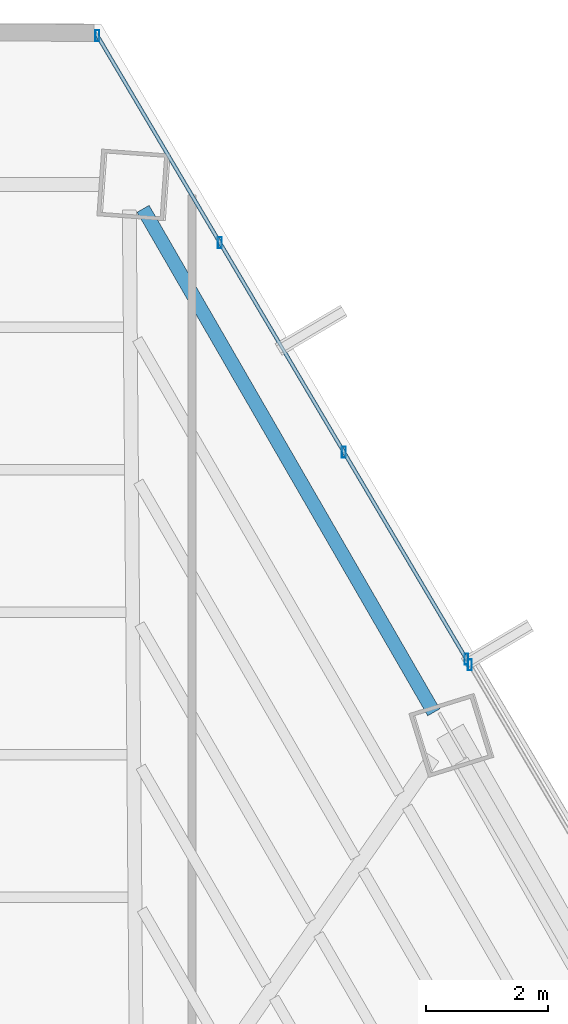
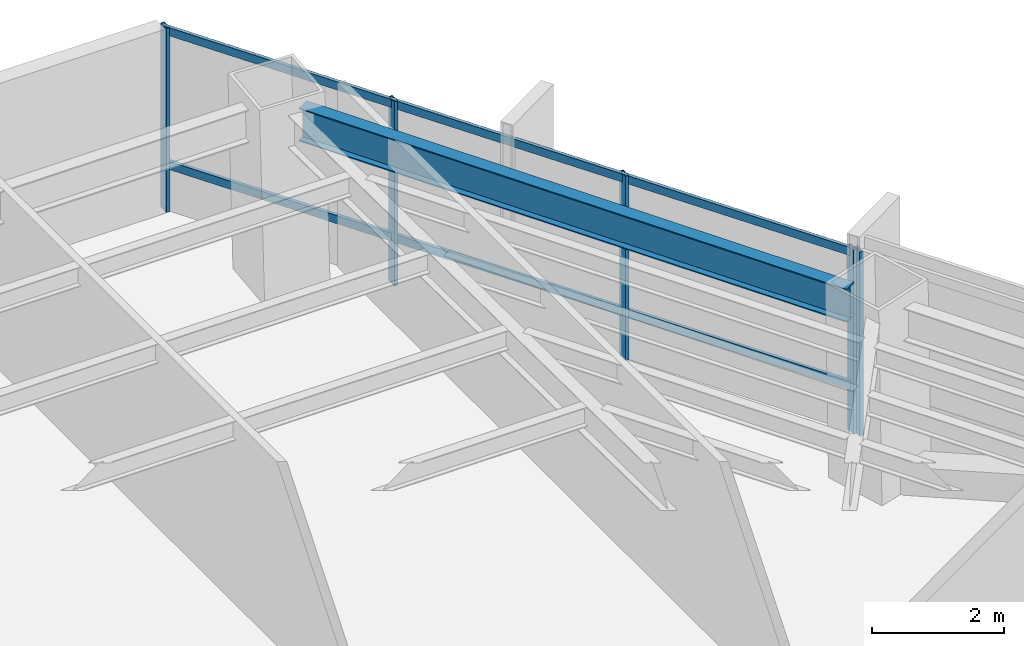
# One storey, part 28 of 37: 7 members, 1 beam, 2 elements without a shape of their own.
"""IFC4 building model written with IfcOpenShell, lengths in metres."""

from ifc_helpers import new_model, si_unit, direction, frame, origin, origin_2d, place, context, subcontext, project, spatial, hollow_rectangle, i_section, extrude, source, transform, mapped, material, material_profile, profile_set, type_object, type_shapes, element, aggregate, save


model = new_model("IFC4")

# Units and contexts
model_context = context("Model", 3, precision=1e-05, world=origin(), true_north=direction((0.0, 1.0)))
body_context = subcontext(model_context, "Body", "Model", "MODEL_VIEW")
ifc_project = project(units=[si_unit("LENGTHUNIT", "METRE"), si_unit("AREAUNIT", "SQUARE_METRE"), si_unit("VOLUMEUNIT", "CUBIC_METRE"), si_unit("PLANEANGLEUNIT", "RADIAN"), si_unit("MASSUNIT", "GRAM", prefix="KILO")], contexts=[model_context])

# Site, building, storey
site_placement = place(None, origin())
site = spatial("IfcSite", under=ifc_project, at=site_placement, CompositionType="ELEMENT")
building_placement = place(site_placement, origin())
building = spatial("IfcBuilding", under=site, at=building_placement, Name="Caelisora Broadcast Tower", CompositionType="ELEMENT")
storey_placement = place(building_placement, frame((0.0, 0.0, 105.39990234375)))
storey = spatial("IfcBuildingStorey", under=building, at=storey_placement, Name="L27", CompositionType="ELEMENT", Elevation=105.39990234375)

# Beam
ifc_material_1 = material(Name="Steel Grade 350 (AS/NZS 3679.1)", Category="steel")
ifc_material_profile_1 = material_profile(ifc_material_1, i_section(OverallWidth=0.22900390625, OverallDepth=0.611572265625, WebThickness=0.011962890625, FlangeThickness=0.01953125, at=origin_2d()), Name="Steel Grade 350 (AS/NZS 3679.1)")
ifc_profile_set_1 = profile_set([ifc_material_profile_1], Name="Steel Grade 350 (AS/NZS 3679.1)")
beam_type = type_object("IfcBeamType", Name="PG03", PredefinedType="BEAM", material=ifc_profile_set_1)
shared_shape_1 = source(origin(), body_context, "Body", "SweptSolid", [
    extrude(i_section(OverallWidth=0.22900390625, OverallDepth=0.611572265625, WebThickness=0.011962890625, FlangeThickness=0.01953125, at=origin_2d()), origin(), (0.0, 0.0, 1.0), 9.56591796875),
])
type_shapes(beam_type, [shared_shape_1])
beam_placement = place(storey_placement, frame((50.37890625, 37.732421875, 3.09423828125), z_axis=(-0.499995660965, 0.866027908913, 0.0), x_axis=(-0.866027908913, -0.499995660965, 0.0)))
element("IfcBeam", 1, at=beam_placement, inside=storey, type_object=beam_type, Name="L27 beam PG03", PredefinedType="BEAM", context=body_context, shape_type="MappedRepresentation", body=[
    mapped(shared_shape_1, transform((0.0, 0.0, 0.0), scale=1.0)),
])

# Curtain wall, members
ifc_material_2 = material(Name="Unitised Aluminium and Low-E Glass Curtain Wall", Category="glass")
curtain_wall_type_1 = type_object("IfcCurtainWallType", Name="CW-Z2", PredefinedType="NOTDEFINED", material=ifc_material_2)
curtain_wall_1_placement = place(storey_placement, origin())
curtain_wall_1 = element("IfcCurtainWall", 2, at=curtain_wall_1_placement, inside=storey, type_object=curtain_wall_type_1, Name="L27 curtain wall CW-Z2", PredefinedType="NOTDEFINED")
ifc_material_3 = material(Name="Aluminium 6063-T6 Anodised Terracotta Bronze", Category="aluminium")
ifc_material_profile_2 = material_profile(ifc_material_3, hollow_rectangle(XDim=0.06494140625, YDim=0.179931640625, WallThickness=0.00341796875, at=origin_2d()), Name="Aluminium 6063-T6 Anodised Terracotta Bronze")
ifc_profile_set_2 = profile_set([ifc_material_profile_2], Name="Aluminium 6063-T6 Anodised Terracotta Bronze")
member_type_1 = type_object("IfcMemberType", Name="CWM-02", PredefinedType="MULLION", material=ifc_profile_set_2)
shared_shape_2 = source(origin(), body_context, "Body", "SweptSolid", [
    extrude(hollow_rectangle(XDim=0.06494140625, YDim=0.179931640625, WallThickness=0.00341796875, at=origin_2d()), origin(), (0.0, 0.0, 1.0), 3.400146484375),
])
type_shapes(member_type_1, [shared_shape_2])
member_1_placement = place(storey_placement, frame((44.842529296875, 48.866943359375, 0.0), z_axis=(0.0, 0.0, 1.0), x_axis=(1.0, 0.0, 0.0)))
member_1 = element("IfcMember", 3, at=member_1_placement, type_object=member_type_1, Name="L27-CW-B01 mullion #0", PredefinedType="MULLION", context=body_context, shape_type="MappedRepresentation", body=[
    mapped(shared_shape_2, transform((0.0, 0.0, 0.0), scale=1.0)),
])
member_2_placement = place(storey_placement, frame((46.85888671875, 45.461181640625, 0.0), z_axis=(0.0, 0.0, 1.0), x_axis=(1.0, 0.0, 0.0)))
member_2 = element("IfcMember", 4, at=member_2_placement, type_object=member_type_1, Name="L27-CW-B01 mullion #1", PredefinedType="MULLION", context=body_context, shape_type="MappedRepresentation", body=[
    mapped(shared_shape_2, transform((0.0, 0.0, 0.0), scale=1.0)),
])
member_3_placement = place(storey_placement, frame((48.900634765625, 42.01220703125, 0.0), z_axis=(0.0, 0.0, 1.0), x_axis=(1.0, 0.0, 0.0)))
member_3 = element("IfcMember", 5, at=member_3_placement, type_object=member_type_1, Name="L27-CW-B01 mullion #2", PredefinedType="MULLION", context=body_context, shape_type="MappedRepresentation", body=[
    mapped(shared_shape_2, transform((0.0, 0.0, 0.0), scale=1.0)),
])
member_4_placement = place(storey_placement, frame((50.9169921875, 38.606201171875, 0.0), z_axis=(0.0, 0.0, 1.0), x_axis=(1.0, 0.0, 0.0)))
member_4 = element("IfcMember", 6, at=member_4_placement, type_object=member_type_1, Name="L27-CW-B01 mullion #3", PredefinedType="MULLION", context=body_context, shape_type="MappedRepresentation", body=[
    mapped(shared_shape_2, transform((0.0, 0.0, 0.0), scale=1.0)),
])

# Curtain wall, member
ifc_material_4 = material(Name="Unitised Aluminium Insulated Shadow-Box Spandrel Curtain Wall", Category="aluminium")
curtain_wall_type_2 = type_object("IfcCurtainWallType", Name="CW-SP1", PredefinedType="NOTDEFINED", material=ifc_material_4)
curtain_wall_2_placement = place(storey_placement, origin())
curtain_wall_2 = element("IfcCurtainWall", 7, at=curtain_wall_2_placement, inside=storey, type_object=curtain_wall_type_2, Name="L27 curtain wall CW-SP1", PredefinedType="NOTDEFINED")
member_5_placement = place(storey_placement, frame((50.97314453125, 38.51171875, 0.0), z_axis=(0.0, 0.0, 1.0), x_axis=(1.0, 0.0, 0.0)))
member_5 = element("IfcMember", 8, at=member_5_placement, type_object=member_type_1, Name="L27-CW-B02 mullion #0", PredefinedType="MULLION", context=body_context, shape_type="MappedRepresentation", body=[
    mapped(shared_shape_2, transform((0.0, 0.0, 0.0), scale=1.0)),
])
aggregate(curtain_wall_2, [member_5])

# Member
ifc_material_profile_3 = material_profile(ifc_material_3, hollow_rectangle(XDim=0.06005859375, YDim=0.14990234375, WallThickness=0.00341796875, at=origin_2d()), Name="Aluminium 6063-T6 Anodised Terracotta Bronze")
ifc_profile_set_3 = profile_set([ifc_material_profile_3], Name="Aluminium 6063-T6 Anodised Terracotta Bronze")
member_type_2 = type_object("IfcMemberType", Name="CWT-02", PredefinedType="USERDEFINED", material=ifc_profile_set_3)
shared_shape_3 = source(origin(), body_context, "Body", "SweptSolid", [
    extrude(hollow_rectangle(XDim=0.06005859375, YDim=0.14990234375, WallThickness=0.00341796875, at=origin_2d()), origin(), (0.0, 0.0, 1.0), 11.924072265625),
])
type_shapes(member_type_2, [shared_shape_3])
member_6_placement = place(storey_placement, frame((44.842529296875, 48.866943359375, 0.85009765625), z_axis=(0.509431366023, -0.860511291798, 0.0), x_axis=(0.860511291798, 0.509431366023, 0.0)))
member_6 = element("IfcMember", 9, at=member_6_placement, type_object=member_type_2, Name="L27-CW-B01 transom #1", ObjectType="TRANSOM", PredefinedType="USERDEFINED", context=body_context, shape_type="MappedRepresentation", body=[
    mapped(shared_shape_3, transform((0.0, 0.0, 0.0), scale=1.0)),
])

member_7_placement = place(storey_placement, frame((44.842529296875, 48.866943359375, 3.320068359375), z_axis=(0.509431366023, -0.860511291798, 0.0), x_axis=(0.860511291798, 0.509431366023, 0.0)))
member_7 = element("IfcMember", 10, at=member_7_placement, type_object=member_type_2, Name="L27-CW-B01 transom #2", ObjectType="TRANSOM", PredefinedType="USERDEFINED", context=body_context, shape_type="MappedRepresentation", body=[
    mapped(shared_shape_3, transform((0.0, 0.0, 0.0), scale=1.0)),
])

aggregate(curtain_wall_1, [member_1, member_2, member_3, member_4, member_6, member_7])

save(model, "model.ifc")
